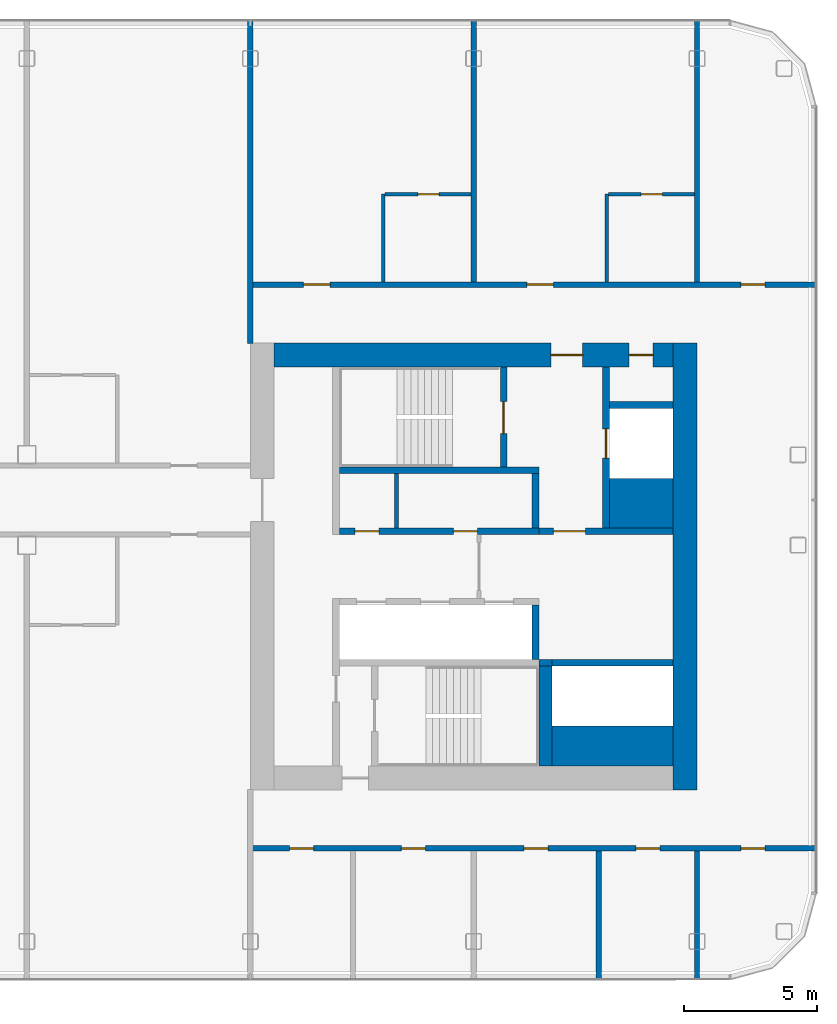
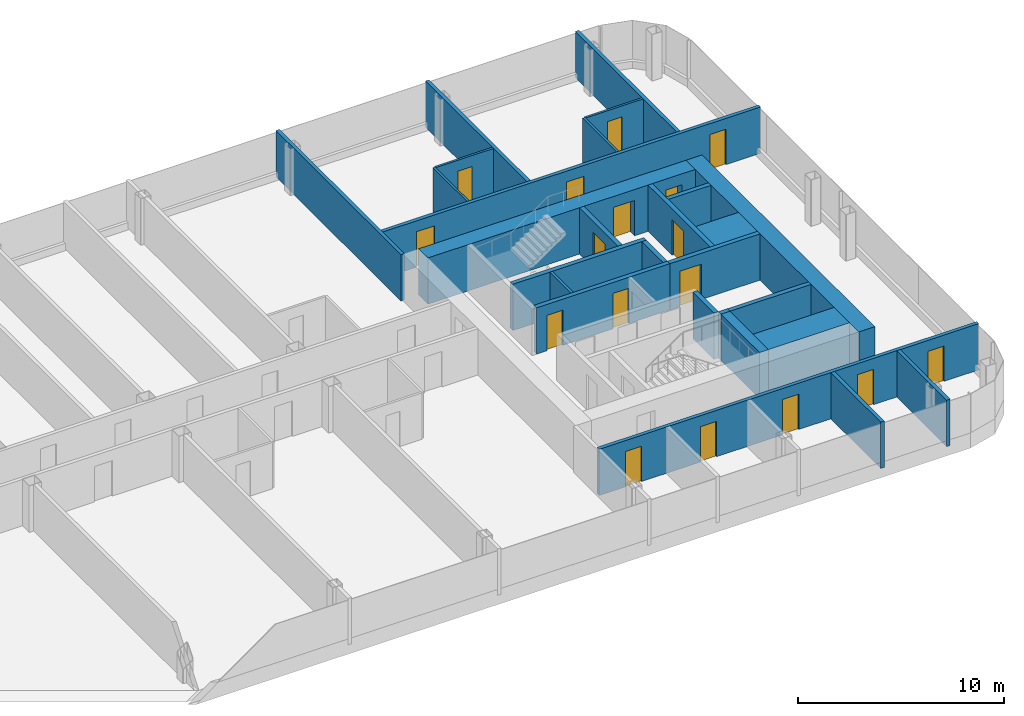
# One storey, part 16 of 25: 27 walls, 17 doors, 17 openings.
"""IFC4 building model written with IfcOpenShell, lengths in metres."""

import ifcopenshell
import ifcopenshell.guid

model = None  # the IFC model being written
_history = None  # IfcOwnerHistory: only IFC2X3 demands one
_inside = {}  # id of a spatial element -> (the spatial element, [elements in it])
_under = {}  # id of a project, library or spatial element -> (it, [spatial elements below it])
_declared = {}  # id of a project -> (the project, [libraries it declares])
_typed = {}  # id of a type object -> (the type object, [elements of that type])
_made_of = {}  # id of a material, layer set ... -> (it, [elements and type objects made of it])


def new_model(schema):
    """Start an empty IFC model of exactly this schema.

    Asked for "IFC4X3", IfcOpenShell would pick the latest addendum, in which some entities
    have other attributes; the version numbers below select the first issue.
    IFC2X3 requires an IfcOwnerHistory on every rooted entity: one is made here for all.
    """
    global model, _history
    if schema == "IFC4X3":
        model = ifcopenshell.file(schema_version=(4, 3, 0, 0))
    else:
        model = ifcopenshell.file(schema=schema)
    _inside.clear()
    _under.clear()
    _declared.clear()
    _typed.clear()
    _made_of.clear()
    _history = None
    if model.schema == "IFC2X3":
        org = make("IfcOrganization", Name="unknown")
        user = make(
            "IfcPersonAndOrganization",
            ThePerson=make("IfcPerson", FamilyName="unknown"),
            TheOrganization=org,
        )
        app = make(
            "IfcApplication",
            ApplicationDeveloper=org,
            Version="unknown",
            ApplicationFullName="unknown",
            ApplicationIdentifier="unknown",
        )
        _history = make(
            "IfcOwnerHistory",
            OwningUser=user,
            OwningApplication=app,
            ChangeAction="ADDED",
            CreationDate=0,
        )
    return model


def make(cls, **values):
    """One entity of the class cls with the attributes given. An attribute that is None is left unset."""
    return model.create_entity(
        cls, **{name: value for name, value in values.items() if value is not None}
    )


def rooted(cls, **values):
    """An entity with a GlobalId (a new one), such as an element, a storey or a relation."""
    return make(cls, GlobalId=ifcopenshell.guid.new(), OwnerHistory=_history, **values)


def si_unit(unit_type, name, prefix=None):
    """IfcSIUnit, for example si_unit("LENGTHUNIT", "METRE", prefix="MILLI")."""
    return make("IfcSIUnit", UnitType=unit_type, Prefix=prefix, Name=name)


def assignment(units):
    """IfcUnitAssignment: the units of a project."""
    return None if units is None else make("IfcUnitAssignment", Units=units)


def point(xyz):
    """IfcCartesianPoint."""
    return None if xyz is None else make("IfcCartesianPoint", Coordinates=xyz)


def direction(xyz):
    """IfcDirection."""
    return None if xyz is None else make("IfcDirection", DirectionRatios=xyz)


def frame(location, z_axis=None, x_axis=None):
    """IfcAxis2Placement3D, a coordinate frame: its origin and axes. An axis left out is left unset."""
    return make(
        "IfcAxis2Placement3D",
        Location=point(location),
        Axis=direction(z_axis),
        RefDirection=direction(x_axis),
    )


def frame_2d(location, x_axis=None):
    """IfcAxis2Placement2D, a coordinate frame in the plane: its origin and x axis."""
    return make(
        "IfcAxis2Placement2D", Location=point(location), RefDirection=direction(x_axis)
    )


def origin():
    """The frame at (0, 0, 0) with its axes left unset."""
    return frame((0.0, 0.0, 0.0))


def place(relative_to, where):
    """IfcLocalPlacement: puts the frame where relative to a parent placement (None: the world)."""
    return make(
        "IfcLocalPlacement", PlacementRelTo=relative_to, RelativePlacement=where
    )


def context(
    kind, dimensions, precision=None, world=None, true_north=None, identifier=None
):
    """IfcGeometricRepresentationContext, for example the 3D "Model" context."""
    return make(
        "IfcGeometricRepresentationContext",
        ContextIdentifier=identifier,
        ContextType=kind,
        CoordinateSpaceDimension=dimensions,
        Precision=precision,
        WorldCoordinateSystem=world,
        TrueNorth=true_north,
    )


def subcontext(parent, identifier, kind, view, scale=None):
    """IfcGeometricRepresentationSubContext, for example "Body" below "Model"."""
    return make(
        "IfcGeometricRepresentationSubContext",
        ContextIdentifier=identifier,
        ContextType=kind,
        ParentContext=parent,
        TargetScale=scale,
        TargetView=view,
    )


def project(units=None, contexts=None):
    """IfcProject with its units and contexts."""
    return rooted(
        "IfcProject",
        Name="project",
        RepresentationContexts=contexts,
        UnitsInContext=assignment(units),
    )


def spatial(cls, under=None, at=None, **own):
    """A site, building, storey or space (cls), placed at a placement, below another one or the project."""
    s = rooted(cls, ObjectPlacement=at, **own)
    if under is not None:
        _under.setdefault(under.id(), (under, []))[1].append(s)
    return s


def profile(cls, at=None, kind="AREA", **sizes):
    """A parametric profile (cls). Its sizes go by their IFC names, for example OverallWidth=200.0."""
    return make(cls, ProfileType=kind, Position=at, **sizes)


def rectangle(**sizes):
    """IfcRectangleProfileDef."""
    return profile("IfcRectangleProfileDef", **sizes)


def extrude(swept, where, along, depth):
    """IfcExtrudedAreaSolid: the profile swept, set in the frame where, extruded along a direction by depth."""
    return make(
        "IfcExtrudedAreaSolid",
        SweptArea=swept,
        Position=where,
        ExtrudedDirection=direction(along),
        Depth=depth,
    )


def shape(context_of_items, identifier, shape_type, items):
    """IfcShapeRepresentation: the items that make up one representation, for example the "Body"."""
    return make(
        "IfcShapeRepresentation",
        ContextOfItems=context_of_items,
        RepresentationIdentifier=identifier,
        RepresentationType=shape_type,
        Items=items,
    )


def material(Name=None, Category=None):
    """IfcMaterial."""
    return make("IfcMaterial", Name=Name, Category=Category)


def layer(
    of_material, thickness, ventilated=None, Name=None, Category=None, Priority=None
):
    """IfcMaterialLayer: one layer of a wall or slab, of a material (None: an air gap)."""
    return make(
        "IfcMaterialLayer",
        Material=of_material,
        LayerThickness=thickness,
        IsVentilated=ventilated,
        Name=Name,
        Category=Category,
        Priority=Priority,
    )


def layer_set(layers, Name=None):
    """IfcMaterialLayerSet."""
    return make("IfcMaterialLayerSet", MaterialLayers=layers, LayerSetName=Name)


def made_of(thing, what):
    """Note that an element or type object is made of a material, layer set ...; save() writes the relation."""
    if what is not None:
        _made_of.setdefault(what.id(), (what, []))[1].append(thing)
    return thing


def type_object(cls, material=None, **own):
    """A type object (cls), such as IfcWallType, which elements share."""
    return made_of(rooted(cls, **own), material)


def element(
    cls,
    number,
    at=None,
    inside=None,
    cuts=None,
    type_object=None,
    material=None,
    context=None,
    identifier="Body",
    shape_type=None,
    held_by="IfcProductDefinitionShape",
    body=None,
    shapes=None,
    **own,
):
    """One element of the class cls, such as IfcWall. Its Tag is "e" and its number.

    at: its placement. inside: the storey or other place that contains it. cuts: it is an
    opening in that element (IfcRelVoidsElement). A single representation is given by context,
    identifier, shape_type and body (its items); several are given by shapes. held_by: the class
    of the entity that holds the representations. save() writes the other relations.
    """
    e = rooted(cls, Tag="e%d" % number, ObjectPlacement=at, **own)
    if body is not None:
        shapes = [shape(context, identifier, shape_type, body)]
    if shapes is not None:
        e.Representation = make(held_by, Representations=shapes)
    if inside is not None:
        _inside.setdefault(inside.id(), (inside, []))[1].append(e)
    if cuts is not None:
        rooted(
            "IfcRelVoidsElement", RelatingBuildingElement=cuts, RelatedOpeningElement=e
        )
    if type_object is not None:
        _typed.setdefault(type_object.id(), (type_object, []))[1].append(e)
    return made_of(e, material)


def fill(opening, filler):
    """IfcRelFillsElement: the door or window that sits in an opening."""
    return rooted(
        "IfcRelFillsElement",
        RelatingOpeningElement=opening,
        RelatedBuildingElement=filler,
    )


def aggregate(whole, parts):
    """IfcRelAggregates: a whole, such as a stair, and the parts it consists of."""
    return rooted("IfcRelAggregates", RelatingObject=whole, RelatedObjects=parts)


def save(model, path):
    """Write the relations noted so far, then the file.

    IfcRelAggregates (storeys below a building ...), IfcRelContainedInSpatialStructure (elements
    in a storey), IfcRelDefinesByType, IfcRelAssociatesMaterial and IfcRelDeclares: one each for
    every whole, place, type object, material and project.
    """
    for whole, parts in _under.values():
        aggregate(whole, parts)
    for where, things in _inside.values():
        rooted(
            "IfcRelContainedInSpatialStructure",
            RelatedElements=things,
            RelatingStructure=where,
        )
    for kind, things in _typed.values():
        rooted("IfcRelDefinesByType", RelatedObjects=things, RelatingType=kind)
    for what, things in _made_of.values():
        rooted("IfcRelAssociatesMaterial", RelatedObjects=things, RelatingMaterial=what)
    for by, libraries in _declared.values():
        rooted("IfcRelDeclares", RelatingContext=by, RelatedDefinitions=libraries)
    model.write(path)


model = new_model("IFC4")

# Units and contexts
model_context = context("Model", 3, precision=1e-05, world=origin(), true_north=direction((0.0, 1.0)))
body_context = subcontext(model_context, "Body", "Model", "MODEL_VIEW")
ifc_project = project(units=[si_unit("LENGTHUNIT", "METRE"), si_unit("AREAUNIT", "SQUARE_METRE"), si_unit("VOLUMEUNIT", "CUBIC_METRE"), si_unit("PLANEANGLEUNIT", "RADIAN"), si_unit("MASSUNIT", "GRAM", prefix="KILO")], contexts=[model_context])

# Site, building, storey
site_placement = place(None, origin())
site = spatial("IfcSite", under=ifc_project, at=site_placement, CompositionType="ELEMENT")
building_placement = place(site_placement, origin())
building = spatial("IfcBuilding", under=site, at=building_placement, Name="Hakoniwa Tower and Hamabe Station Hall", CompositionType="ELEMENT")
storey_placement = place(building_placement, frame((0.0, 0.0, 186.60009765625)))
storey = spatial("IfcBuildingStorey", under=building, at=storey_placement, Name="L52", CompositionType="ELEMENT", Elevation=186.60009765625)

# Wall, opening, door
ifc_material_1 = material(Name="Gypsum board partition", Category="gypsum")
ifc_layer_1 = layer(ifc_material_1, 0.125)
ifc_layer_set_1 = layer_set([ifc_layer_1], Name="Bathroom Partition 125")
wall_type_1 = type_object("IfcWallType", Name="Bathroom Partition 125", PredefinedType="PARTITIONING", material=ifc_layer_set_1)
wall_1_placement = place(storey_placement, frame((21.862548828125, 14.0, 0.0), z_axis=(0.0, 0.0, 1.0), x_axis=(1.0, 0.0, 0.0)))
wall_1 = element("IfcWall", 1, at=wall_1_placement, inside=storey, type_object=wall_type_1, Name="GW-L52-015", PredefinedType="PARTITIONING", context=body_context, shape_type="SweptSolid", body=[
    extrude(rectangle(XDim=3.237548828125, YDim=0.125, at=frame_2d((1.61865234375, 0.0))), origin(), (0.0, 0.0, 1.0), 2.75),
])
opening_1_placement = place(wall_1_placement, frame((1.237548828125, 0.0, 0.0)))
opening_1 = element("IfcOpeningElement", 2, at=opening_1_placement, cuts=wall_1, Name="Opening GD-G4A0-33", PredefinedType="OPENING", context=body_context, shape_type="SweptSolid", body=[
    extrude(rectangle(XDim=0.800048828125, YDim=2.10009765625, at=frame_2d((0.39990234375, 1.050048828125))), frame((0.0, 0.072509765625, 0.0), z_axis=(0.0, -1.0, 0.0), x_axis=(1.0, 0.0, 0.0)), (0.0, 0.0, 1.0), 0.14501953125),
])
ifc_material_2 = material(Name="Timber door leaf", Category="wood")
door_type_1 = type_object("IfcDoorType", Name="Bathroom Door 800", OperationType="SINGLE_SWING_LEFT", PredefinedType="DOOR", material=ifc_material_2)
door_1_placement = place(opening_1_placement, origin())
door_1 = element("IfcDoor", 3, at=door_1_placement, inside=storey, type_object=door_type_1, Name="Door GD-G4A0-33", OperationType="SINGLE_SWING_LEFT", OverallHeight=2.10009765625, OverallWidth=0.800048828125, PredefinedType="DOOR", context=body_context, shape_type="SweptSolid", body=[
    extrude(rectangle(XDim=0.800048828125, YDim=2.10009765625, at=frame_2d((0.39990234375, 1.050048828125))), frame((0.0, 0.02490234375, 0.0), z_axis=(0.0, -1.0, 0.0), x_axis=(1.0, 0.0, 0.0)), (0.0, 0.0, 1.0), 0.050048828125),
])
fill(opening_1, door_1)

wall_2_placement = place(storey_placement, frame((30.262451171875, 14.0, 0.0), z_axis=(0.0, 0.0, 1.0), x_axis=(1.0, 0.0, 0.0)))
wall_2 = element("IfcWall", 4, at=wall_2_placement, inside=storey, type_object=wall_type_1, Name="GW-L52-016", PredefinedType="PARTITIONING", context=body_context, shape_type="SweptSolid", body=[
    extrude(rectangle(XDim=3.237548828125, YDim=0.125, at=frame_2d((1.61865234375, 0.0))), origin(), (0.0, 0.0, 1.0), 2.75),
])
opening_2_placement = place(wall_2_placement, frame((1.237548828125, 0.0, 0.0)))
opening_2 = element("IfcOpeningElement", 5, at=opening_2_placement, cuts=wall_2, Name="Opening GD-G4A0-34", PredefinedType="OPENING", context=body_context, shape_type="SweptSolid", body=[
    extrude(rectangle(XDim=0.800048828125, YDim=2.10009765625, at=frame_2d((0.39990234375, 1.050048828125))), frame((0.0, 0.072509765625, 0.0), z_axis=(0.0, -1.0, 0.0), x_axis=(1.0, 0.0, 0.0)), (0.0, 0.0, 1.0), 0.14501953125),
])
door_2_placement = place(opening_2_placement, origin())
door_2 = element("IfcDoor", 6, at=door_2_placement, inside=storey, type_object=door_type_1, Name="Door GD-G4A0-34", OperationType="SINGLE_SWING_RIGHT", OverallHeight=2.10009765625, OverallWidth=0.800048828125, PredefinedType="DOOR", context=body_context, shape_type="SweptSolid", body=[
    extrude(rectangle(XDim=0.800048828125, YDim=2.10009765625, at=frame_2d((0.39990234375, 1.050048828125))), frame((0.0, 0.02490234375, 0.0), z_axis=(0.0, -1.0, 0.0), x_axis=(1.0, 0.0, 0.0)), (0.0, 0.0, 1.0), 0.050048828125),
])
fill(opening_2, door_2)

# Walls
for number, where, z_axis, x_axis, name in (
    (7, (21.800048828125, 10.699951171875, 0.0), (0.0, 0.0, 1.0), (0.0, 1.0, 0.0), "GW-L52-044"),
    (8, (30.199951171875, 10.699951171875, 0.0), (0.0, 0.0, 1.0), (0.0, 1.0, 0.0), "GW-L52-048"),
):
    element("IfcWall", number, at=place(storey_placement, frame(where, z_axis=z_axis, x_axis=x_axis)), inside=storey, type_object=wall_type_1, Name=name, PredefinedType="PARTITIONING", context=body_context, shape_type="SweptSolid", body=[
        extrude(rectangle(XDim=3.300048828125, YDim=0.125, at=frame_2d((1.64990234375, 0.0))), origin(), (0.0, 0.0, 1.0), 2.75),
    ])
ifc_material_3 = material(Name="Gypsum board partition")
ifc_layer_2 = layer(ifc_material_3, 0.14990234375)
ifc_layer_set_2 = layer_set([ifc_layer_2], Name="CORE PARTITION 150 EI 60")
wall_type_2 = type_object("IfcWallType", Name="CORE PARTITION 150 EI 60", PredefinedType="PARTITIONING", material=ifc_layer_set_2)
wall_3_placement = place(storey_placement, frame((22.300048828125, 1.449951171875, 0.0), z_axis=(0.0, 0.0, 1.0), x_axis=(0.0, 1.0, 0.0)))
element("IfcWall", 9, at=wall_3_placement, inside=storey, type_object=wall_type_2, Name="Core partition PFLR0 east", PredefinedType="PARTITIONING", context=body_context, shape_type="SweptSolid", body=[
    extrude(rectangle(XDim=2.050048828125, YDim=0.14990234375, at=frame_2d((1.02490234375, 0.0))), origin(), (0.0, 0.0, 1.0), 2.75),
])
ifc_material_4 = material(Name="Concrete C60", Category="concrete")
ifc_layer_3 = layer(ifc_material_4, 0.89990234375)
ifc_layer_set_3 = layer_set([ifc_layer_3], Name="CORE WALL 900 C60")
wall_type_3 = type_object("IfcWallType", Name="CORE WALL 900 C60", PredefinedType="SHEAR", material=ifc_layer_set_3)
wall_4_placement = place(storey_placement, frame((33.14990234375, -8.39990234375, 0.0), z_axis=(0.0, 0.0, 1.0), x_axis=(0.0, 1.0, 0.0)))
element("IfcWall", 10, at=wall_4_placement, inside=storey, type_object=wall_type_3, Name="Core wall OUTER east", PredefinedType="SHEAR", context=body_context, shape_type="SweptSolid", body=[
    extrude(rectangle(XDim=16.7998046875, YDim=0.89990234375, at=frame_2d((8.39990234375, 0.0))), origin(), (0.0, 0.0, 1.0), 2.75),
])

# Wall, openings, doors
wall_5_placement = place(storey_placement, frame((17.699951171875, 7.949951171875, 0.0), z_axis=(0.0, 0.0, 1.0), x_axis=(1.0, 0.0, 0.0)))
wall_5 = element("IfcWall", 11, at=wall_5_placement, inside=storey, type_object=wall_type_3, Name="Core wall NORTH east", PredefinedType="SHEAR", context=body_context, shape_type="SweptSolid", body=[
    extrude(rectangle(XDim=15.0, YDim=0.89990234375, at=frame_2d((7.5, 0.0))), origin(), (0.0, 0.0, 1.0), 2.75),
])
opening_3_placement = place(wall_5_placement, frame((10.39990234375, 0.0, 0.0)))
opening_3 = element("IfcOpeningElement", 12, at=opening_3_placement, cuts=wall_5, Name="Opening CD-E-FN1-12", PredefinedType="OPENING", context=body_context, shape_type="SweptSolid", body=[
    extrude(rectangle(XDim=1.199951171875, YDim=2.10009765625, at=frame_2d((0.60009765625, 1.050048828125))), frame((0.0, 0.4599609375, 0.0), z_axis=(0.0, -1.0, 0.0), x_axis=(1.0, 0.0, 0.0)), (0.0, 0.0, 1.0), 0.919921875),
])
opening_4_placement = place(wall_5_placement, frame((13.35009765625, 0.0, 0.0)))
opening_4 = element("IfcOpeningElement", 13, at=opening_4_placement, cuts=wall_5, Name="Opening CD-E-FN2-9", PredefinedType="OPENING", context=body_context, shape_type="SweptSolid", body=[
    extrude(rectangle(XDim=0.89990234375, YDim=2.10009765625, at=frame_2d((0.449951171875, 1.050048828125))), frame((0.0, 0.4599609375, 0.0), z_axis=(0.0, -1.0, 0.0), x_axis=(1.0, 0.0, 0.0)), (0.0, 0.0, 1.0), 0.919921875),
])
ifc_material_5 = material(Name="Steel fire door", Category="steel")
door_type_2 = type_object("IfcDoorType", Name="CORE DOOR 1200 FD60", OperationType="DOUBLE_DOOR_SINGLE_SWING", PredefinedType="DOOR", material=ifc_material_5)
door_3_placement = place(opening_3_placement, origin())
door_3 = element("IfcDoor", 14, at=door_3_placement, inside=storey, type_object=door_type_2, Name="Stair vestibule door to the fire-fighting lobby", OperationType="DOUBLE_DOOR_SINGLE_SWING", OverallHeight=2.10009765625, OverallWidth=1.199951171875, PredefinedType="DOOR", context=body_context, shape_type="SweptSolid", body=[
    extrude(rectangle(XDim=1.199951171875, YDim=2.10009765625, at=frame_2d((0.60009765625, 1.050048828125))), frame((0.0, 0.02490234375, 0.0), z_axis=(0.0, -1.0, 0.0), x_axis=(1.0, 0.0, 0.0)), (0.0, 0.0, 1.0), 0.050048828125),
])
fill(opening_3, door_3)
ifc_material_6 = material(Name="Steel fire door", Category="steel")
door_type_3 = type_object("IfcDoorType", Name="CORE DOOR 900 FD30", OperationType="NOTDEFINED", PredefinedType="DOOR", material=ifc_material_6)
door_4_placement = place(opening_4_placement, origin())
door_4 = element("IfcDoor", 15, at=door_4_placement, inside=storey, type_object=door_type_3, Name="Riser access door", OperationType="SINGLE_SWING_RIGHT", OverallHeight=2.10009765625, OverallWidth=0.89990234375, PredefinedType="DOOR", context=body_context, shape_type="SweptSolid", body=[
    extrude(rectangle(XDim=0.89990234375, YDim=2.10009765625, at=frame_2d((0.449951171875, 1.050048828125))), frame((0.0, 0.02490234375, 0.0), z_axis=(0.0, -1.0, 0.0), x_axis=(1.0, 0.0, 0.0)), (0.0, 0.0, 1.0), 0.050048828125),
])
fill(opening_4, door_4)

# Walls
ifc_material_7 = material(Name="Concrete C60", Category="concrete")
ifc_layer_4 = layer(ifc_material_7, 1.5)
ifc_layer_set_4 = layer_set([ifc_layer_4], Name="CORE WEB WALL 1500 C60")
wall_type_4 = type_object("IfcWallType", Name="CORE WEB WALL 1500 C60", PredefinedType="SHEAR", material=ifc_layer_set_4)
wall_6_placement = place(storey_placement, frame((28.14990234375, -6.75, 0.0), z_axis=(0.0, 0.0, 1.0), x_axis=(1.0, 0.0, 0.0)))
element("IfcWall", 16, at=wall_6_placement, inside=storey, type_object=wall_type_4, Name="Core wall SER east", PredefinedType="SHEAR", context=body_context, shape_type="SweptSolid", body=[
    extrude(rectangle(XDim=4.550048828125, YDim=1.5, at=frame_2d((2.27490234375, 0.0))), origin(), (0.0, 0.0, 1.0), 2.75),
])
ifc_material_8 = material(Name="Concrete C60", Category="concrete")
ifc_layer_5 = layer(ifc_material_8, 1.85009765625)
ifc_layer_set_5 = layer_set([ifc_layer_5], Name="CORE WEB WALL 1850 C60")
wall_type_5 = type_object("IfcWallType", Name="CORE WEB WALL 1850 C60", PredefinedType="SHEAR", material=ifc_layer_set_5)
wall_7_placement = place(storey_placement, frame((30.300048828125, 2.375, 0.0), z_axis=(0.0, 0.0, 1.0), x_axis=(1.0, 0.0, 0.0)))
element("IfcWall", 17, at=wall_7_placement, inside=storey, type_object=wall_type_5, Name="Core wall CA east", PredefinedType="SHEAR", context=body_context, shape_type="SweptSolid", body=[
    extrude(rectangle(XDim=2.39990234375, YDim=1.85009765625, at=frame_2d((1.199951171875, 0.0))), origin(), (0.0, 0.0, 1.0), 2.75),
])

# Wall, openings, doors
ifc_material_9 = material(Name="Concrete C60", Category="concrete")
ifc_layer_6 = layer(ifc_material_9, 0.25)
ifc_layer_set_6 = layer_set([ifc_layer_6], Name="CORE WEB WALL 250 C60")
wall_type_6 = type_object("IfcWallType", Name="CORE WEB WALL 250 C60", PredefinedType="SHEAR", material=ifc_layer_set_6)
wall_8_placement = place(storey_placement, frame((20.14990234375, 1.324951171875, 0.0), z_axis=(0.0, 0.0, 1.0), x_axis=(1.0, 0.0, 0.0)))
wall_8 = element("IfcWall", 18, at=wall_8_placement, inside=storey, type_object=wall_type_6, Name="Core wall NF east", PredefinedType="SHEAR", context=body_context, shape_type="SweptSolid", body=[
    extrude(rectangle(XDim=7.5, YDim=0.25, at=frame_2d((3.75, 0.0))), origin(), (0.0, 0.0, 1.0), 2.75),
])
opening_5_placement = place(wall_8_placement, frame((0.58740234375, 0.0, 0.0)))
opening_5 = element("IfcOpeningElement", 19, at=opening_5_placement, cuts=wall_8, Name="Opening CD-E-FRLR0-9", PredefinedType="OPENING", context=body_context, shape_type="SweptSolid", body=[
    extrude(rectangle(XDim=0.89990234375, YDim=2.10009765625, at=frame_2d((0.449951171875, 1.050048828125))), frame((0.0, 0.135009765625, 0.0), z_axis=(0.0, -1.0, 0.0), x_axis=(1.0, 0.0, 0.0)), (0.0, 0.0, 1.0), 0.27001953125),
])
opening_6_placement = place(wall_8_placement, frame((4.28759765625, 0.0, 0.0)))
opening_6 = element("IfcOpeningElement", 20, at=opening_6_placement, cuts=wall_8, Name="Opening CD-E-FRLR1-9", PredefinedType="OPENING", context=body_context, shape_type="SweptSolid", body=[
    extrude(rectangle(XDim=0.89990234375, YDim=2.10009765625, at=frame_2d((0.449951171875, 1.050048828125))), frame((0.0, 0.135009765625, 0.0), z_axis=(0.0, -1.0, 0.0), x_axis=(1.0, 0.0, 0.0)), (0.0, 0.0, 1.0), 0.27001953125),
])
door_5_placement = place(opening_5_placement, origin())
door_5 = element("IfcDoor", 21, at=door_5_placement, inside=storey, type_object=door_type_3, Name="Store room door", OperationType="SINGLE_SWING_LEFT", OverallHeight=2.10009765625, OverallWidth=0.89990234375, PredefinedType="DOOR", context=body_context, shape_type="SweptSolid", body=[
    extrude(rectangle(XDim=0.89990234375, YDim=2.10009765625, at=frame_2d((0.449951171875, 1.050048828125))), frame((0.0, 0.02490234375, 0.0), z_axis=(0.0, -1.0, 0.0), x_axis=(1.0, 0.0, 0.0)), (0.0, 0.0, 1.0), 0.050048828125),
])
fill(opening_5, door_5)
door_6_placement = place(opening_6_placement, origin())
door_6 = element("IfcDoor", 22, at=door_6_placement, inside=storey, type_object=door_type_3, Name="Store room door", OperationType="SINGLE_SWING_LEFT", OverallHeight=2.10009765625, OverallWidth=0.89990234375, PredefinedType="DOOR", context=body_context, shape_type="SweptSolid", body=[
    extrude(rectangle(XDim=0.89990234375, YDim=2.10009765625, at=frame_2d((0.449951171875, 1.050048828125))), frame((0.0, 0.02490234375, 0.0), z_axis=(0.0, -1.0, 0.0), x_axis=(1.0, 0.0, 0.0)), (0.0, 0.0, 1.0), 0.050048828125),
])
fill(opening_6, door_6)

# Walls
wall_9_placement = place(storey_placement, frame((27.52490234375, 1.449951171875, 0.0), z_axis=(0.0, 0.0, 1.0), x_axis=(0.0, 1.0, 0.0)))
element("IfcWall", 23, at=wall_9_placement, inside=storey, type_object=wall_type_6, Name="Core wall NE east", PredefinedType="SHEAR", context=body_context, shape_type="SweptSolid", body=[
    extrude(rectangle(XDim=2.050048828125, YDim=0.25, at=frame_2d((1.02490234375, 0.0))), origin(), (0.0, 0.0, 1.0), 2.75),
])
wall_10_placement = place(storey_placement, frame((20.14990234375, 3.625, 0.0), z_axis=(0.0, 0.0, 1.0), x_axis=(1.0, 0.0, 0.0)))
element("IfcWall", 24, at=wall_10_placement, inside=storey, type_object=wall_type_6, Name="Core wall NR east", PredefinedType="SHEAR", context=body_context, shape_type="SweptSolid", body=[
    extrude(rectangle(XDim=7.5, YDim=0.25, at=frame_2d((3.75, 0.0))), origin(), (0.0, 0.0, 1.0), 2.75),
])

# Wall, opening, door
wall_11_placement = place(storey_placement, frame((26.324951171875, 3.75, 0.0), z_axis=(0.0, 0.0, 1.0), x_axis=(0.0, 1.0, 0.0)))
wall_11 = element("IfcWall", 25, at=wall_11_placement, inside=storey, type_object=wall_type_6, Name="Core wall NSE east", PredefinedType="SHEAR", context=body_context, shape_type="SweptSolid", body=[
    extrude(rectangle(XDim=3.75, YDim=0.25, at=frame_2d((1.875, 0.0))), origin(), (0.0, 0.0, 1.0), 2.75),
])
opening_7_placement = place(wall_11_placement, frame((1.25, 0.0, 0.0)))
opening_7 = element("IfcOpeningElement", 26, at=opening_7_placement, cuts=wall_11, Name="Opening CD-E-SN-12", PredefinedType="OPENING", context=body_context, shape_type="SweptSolid", body=[
    extrude(rectangle(XDim=1.199951171875, YDim=2.10009765625, at=frame_2d((0.60009765625, 1.050048828125))), frame((0.0, 0.135009765625, 0.0), z_axis=(0.0, -1.0, 0.0), x_axis=(1.0, 0.0, 0.0)), (0.0, 0.0, 1.0), 0.27001953125),
])
door_7_placement = place(opening_7_placement, origin())
door_7 = element("IfcDoor", 27, at=door_7_placement, inside=storey, type_object=door_type_2, Name="Escape stair door", OperationType="DOUBLE_DOOR_SINGLE_SWING", OverallHeight=2.10009765625, OverallWidth=1.199951171875, PredefinedType="DOOR", context=body_context, shape_type="SweptSolid", body=[
    extrude(rectangle(XDim=1.199951171875, YDim=2.10009765625, at=frame_2d((0.60009765625, 1.050048828125))), frame((0.0, 0.02490234375, 0.0), z_axis=(0.0, -1.0, 0.0), x_axis=(1.0, 0.0, 0.0)), (0.0, 0.0, 1.0), 0.050048828125),
])
fill(opening_7, door_7)

wall_12_placement = place(storey_placement, frame((27.64990234375, 1.324951171875, 0.0), z_axis=(0.0, 0.0, 1.0), x_axis=(1.0, 0.0, 0.0)))
wall_12 = element("IfcWall", 28, at=wall_12_placement, inside=storey, type_object=wall_type_6, Name="Core wall ELN east", PredefinedType="SHEAR", context=body_context, shape_type="SweptSolid", body=[
    extrude(rectangle(XDim=5.050048828125, YDim=0.25, at=frame_2d((2.52490234375, 0.0))), origin(), (0.0, 0.0, 1.0), 2.75),
])
opening_8_placement = place(wall_12_placement, frame((0.550048828125, 0.0, 0.0)))
opening_8 = element("IfcOpeningElement", 29, at=opening_8_placement, cuts=wall_12, Name="Opening CD-E-FL-12", PredefinedType="OPENING", context=body_context, shape_type="SweptSolid", body=[
    extrude(rectangle(XDim=1.199951171875, YDim=2.10009765625, at=frame_2d((0.60009765625, 1.050048828125))), frame((0.0, 0.135009765625, 0.0), z_axis=(0.0, -1.0, 0.0), x_axis=(1.0, 0.0, 0.0)), (0.0, 0.0, 1.0), 0.27001953125),
])
door_8_placement = place(opening_8_placement, origin())
door_8 = element("IfcDoor", 30, at=door_8_placement, inside=storey, type_object=door_type_2, Name="Stair vestibule door to the fire-fighting lobby", OperationType="DOUBLE_DOOR_SINGLE_SWING", OverallHeight=2.10009765625, OverallWidth=1.199951171875, PredefinedType="DOOR", context=body_context, shape_type="SweptSolid", body=[
    extrude(rectangle(XDim=1.199951171875, YDim=2.10009765625, at=frame_2d((0.60009765625, 1.050048828125))), frame((0.0, 0.02490234375, 0.0), z_axis=(0.0, -1.0, 0.0), x_axis=(1.0, 0.0, 0.0)), (0.0, 0.0, 1.0), 0.050048828125),
])
fill(opening_8, door_8)

wall_13_placement = place(storey_placement, frame((30.175048828125, 1.449951171875, 0.0), z_axis=(0.0, 0.0, 1.0), x_axis=(0.0, 1.0, 0.0)))
wall_13 = element("IfcWall", 31, at=wall_13_placement, inside=storey, type_object=wall_type_6, Name="Core wall FFF east", PredefinedType="SHEAR", context=body_context, shape_type="SweptSolid", body=[
    extrude(rectangle(XDim=6.050048828125, YDim=0.25, at=frame_2d((3.02490234375, 0.0))), origin(), (0.0, 0.0, 1.0), 2.75),
])
opening_9_placement = place(wall_13_placement, frame((2.625, 0.0, 0.0)))
opening_9 = element("IfcOpeningElement", 32, at=opening_9_placement, cuts=wall_13, Name="Opening LD-FF2", PredefinedType="OPENING", context=body_context, shape_type="SweptSolid", body=[
    extrude(rectangle(XDim=1.10009765625, YDim=2.10009765625, at=frame_2d((0.550048828125, 1.050048828125))), frame((0.0, 0.135009765625, 0.0), z_axis=(0.0, -1.0, 0.0), x_axis=(1.0, 0.0, 0.0)), (0.0, 0.0, 1.0), 0.27001953125),
])
ifc_material_10 = material(Name="Stainless steel SUS304", Category="steel")
door_type_4 = type_object("IfcDoorType", Name="LIFT LANDING DOOR 1100 FD60", OperationType="DOUBLE_DOOR_SLIDING", PredefinedType="DOOR", material=ifc_material_10)
door_9_placement = place(opening_9_placement, origin())
door_9 = element("IfcDoor", 33, at=door_9_placement, inside=storey, type_object=door_type_4, Name="Lift landing door FF2 L52", OperationType="DOUBLE_DOOR_SLIDING", OverallHeight=2.10009765625, OverallWidth=1.10009765625, PredefinedType="DOOR", context=body_context, shape_type="SweptSolid", body=[
    extrude(rectangle(XDim=1.10009765625, YDim=2.10009765625, at=frame_2d((0.550048828125, 1.050048828125))), frame((0.0, 0.02490234375, 0.0), z_axis=(0.0, -1.0, 0.0), x_axis=(1.0, 0.0, 0.0)), (0.0, 0.0, 1.0), 0.050048828125),
])
fill(opening_9, door_9)

# Walls
wall_14_placement = place(storey_placement, frame((30.300048828125, 6.074951171875, 0.0), z_axis=(0.0, 0.0, 1.0), x_axis=(1.0, 0.0, 0.0)))
element("IfcWall", 34, at=wall_14_placement, inside=storey, type_object=wall_type_6, Name="Core wall C2 east", PredefinedType="SHEAR", context=body_context, shape_type="SweptSolid", body=[
    extrude(rectangle(XDim=2.39990234375, YDim=0.25, at=frame_2d((1.199951171875, 0.0))), origin(), (0.0, 0.0, 1.0), 2.75),
])
wall_15_placement = place(storey_placement, frame((27.52490234375, -3.5, 0.0), z_axis=(0.0, 0.0, 1.0), x_axis=(0.0, 1.0, 0.0)))
element("IfcWall", 35, at=wall_15_placement, inside=storey, type_object=wall_type_6, Name="Core wall SE east", PredefinedType="SHEAR", context=body_context, shape_type="SweptSolid", body=[
    extrude(rectangle(XDim=2.050048828125, YDim=0.25, at=frame_2d((1.02490234375, 0.0))), origin(), (0.0, 0.0, 1.0), 2.75),
])
wall_16_placement = place(storey_placement, frame((28.14990234375, -3.625, 0.0), z_axis=(0.0, 0.0, 1.0), x_axis=(1.0, 0.0, 0.0)))
element("IfcWall", 36, at=wall_16_placement, inside=storey, type_object=wall_type_6, Name="Core wall SEF east", PredefinedType="SHEAR", context=body_context, shape_type="SweptSolid", body=[
    extrude(rectangle(XDim=4.550048828125, YDim=0.25, at=frame_2d((2.27490234375, 0.0))), origin(), (0.0, 0.0, 1.0), 2.75),
])
wall_17_placement = place(storey_placement, frame((27.64990234375, -3.625, 0.0), z_axis=(0.0, 0.0, 1.0), x_axis=(1.0, 0.0, 0.0)))
element("IfcWall", 37, at=wall_17_placement, inside=storey, type_object=wall_type_6, Name="Core wall SRK east", PredefinedType="SHEAR", context=body_context, shape_type="SweptSolid", body=[
    extrude(rectangle(XDim=0.5, YDim=0.25, at=frame_2d((0.25, 0.0))), origin(), (0.0, 0.0, 1.0), 2.75),
])
ifc_material_11 = material(Name="Concrete C60", Category="concrete")
ifc_layer_7 = layer(ifc_material_11, 0.5)
ifc_layer_set_7 = layer_set([ifc_layer_7], Name="CORE WEB WALL 500 C60")
wall_type_7 = type_object("IfcWallType", Name="CORE WEB WALL 500 C60", PredefinedType="SHEAR", material=ifc_layer_set_7)
wall_18_placement = place(storey_placement, frame((27.89990234375, -7.5, 0.0), z_axis=(0.0, 0.0, 1.0), x_axis=(0.0, 1.0, 0.0)))
element("IfcWall", 38, at=wall_18_placement, inside=storey, type_object=wall_type_7, Name="Core wall SSE east", PredefinedType="SHEAR", context=body_context, shape_type="SweptSolid", body=[
    extrude(rectangle(XDim=3.75, YDim=0.5, at=frame_2d((1.875, 0.0))), origin(), (0.0, 0.0, 1.0), 2.75),
])

# Wall, openings, doors
ifc_material_12 = material(Name="Fire-rated gypsum board partition", Category="gypsum")
ifc_layer_8 = layer(ifc_material_12, 0.199951171875)
ifc_layer_set_8 = layer_set([ifc_layer_8], Name="Corridor Wall 200")
wall_type_8 = type_object("IfcWallType", Name="Corridor Wall 200", PredefinedType="PARTITIONING", material=ifc_layer_set_8)
wall_19_placement = place(storey_placement, frame((16.800048828125, -10.60009765625, 0.0), z_axis=(0.0, 0.0, 1.0), x_axis=(1.0, 0.0, 0.0)))
wall_19 = element("IfcWall", 39, at=wall_19_placement, inside=storey, type_object=wall_type_8, Name="GW-L52-002", PredefinedType="PARTITIONING", context=body_context, shape_type="SweptSolid", body=[
    extrude(rectangle(XDim=21.300048828125, YDim=0.199951171875, at=frame_2d((10.64990234375, 0.0))), origin(), (0.0, 0.0, 1.0), 2.75),
])
opening_10_placement = place(wall_19_placement, frame((1.47998046875, 0.0, 0.0)))
opening_10 = element("IfcOpeningElement", 40, at=opening_10_placement, cuts=wall_19, Name="Opening GD-G4A0-06", PredefinedType="OPENING", context=body_context, shape_type="SweptSolid", body=[
    extrude(rectangle(XDim=0.89990234375, YDim=2.10009765625, at=frame_2d((0.449951171875, 1.050048828125))), frame((0.0, 0.10986328125, 0.0), z_axis=(0.0, -1.0, 0.0), x_axis=(1.0, 0.0, 0.0)), (0.0, 0.0, 1.0), 0.219970703125),
])
opening_11_placement = place(wall_19_placement, frame((5.679931640625, 0.0, 0.0)))
opening_11 = element("IfcOpeningElement", 41, at=opening_11_placement, cuts=wall_19, Name="Opening GD-G4A0-07", PredefinedType="OPENING", context=body_context, shape_type="SweptSolid", body=[
    extrude(rectangle(XDim=0.89990234375, YDim=2.10009765625, at=frame_2d((0.449951171875, 1.050048828125))), frame((0.0, 0.10986328125, 0.0), z_axis=(0.0, -1.0, 0.0), x_axis=(1.0, 0.0, 0.0)), (0.0, 0.0, 1.0), 0.219970703125),
])
opening_12_placement = place(wall_19_placement, frame((10.300048828125, 0.0, 0.0)))
opening_12 = element("IfcOpeningElement", 42, at=opening_12_placement, cuts=wall_19, Name="Opening GD-G4A0-08", PredefinedType="OPENING", context=body_context, shape_type="SweptSolid", body=[
    extrude(rectangle(XDim=0.89990234375, YDim=2.10009765625, at=frame_2d((0.449951171875, 1.050048828125))), frame((0.0, 0.10986328125, 0.0), z_axis=(0.0, -1.0, 0.0), x_axis=(1.0, 0.0, 0.0)), (0.0, 0.0, 1.0), 0.219970703125),
])
opening_13_placement = place(wall_19_placement, frame((14.5, 0.0, 0.0)))
opening_13 = element("IfcOpeningElement", 43, at=opening_13_placement, cuts=wall_19, Name="Opening GD-G4A0-09", PredefinedType="OPENING", context=body_context, shape_type="SweptSolid", body=[
    extrude(rectangle(XDim=0.89990234375, YDim=2.10009765625, at=frame_2d((0.449951171875, 1.050048828125))), frame((0.0, 0.10986328125, 0.0), z_axis=(0.0, -1.0, 0.0), x_axis=(1.0, 0.0, 0.0)), (0.0, 0.0, 1.0), 0.219970703125),
])
opening_14_placement = place(wall_19_placement, frame((18.449951171875, 0.0, 0.0)))
opening_14 = element("IfcOpeningElement", 44, at=opening_14_placement, cuts=wall_19, Name="Opening GD-G4A0-10", PredefinedType="OPENING", context=body_context, shape_type="SweptSolid", body=[
    extrude(rectangle(XDim=0.89990234375, YDim=2.10009765625, at=frame_2d((0.449951171875, 1.050048828125))), frame((0.0, 0.10986328125, 0.0), z_axis=(0.0, -1.0, 0.0), x_axis=(1.0, 0.0, 0.0)), (0.0, 0.0, 1.0), 0.219970703125),
])
ifc_material_13 = material(Name="Timber door leaf", Category="wood")
door_type_5 = type_object("IfcDoorType", Name="Service Door 900", OperationType="SINGLE_SWING_LEFT", PredefinedType="DOOR", material=ifc_material_13)
door_10_placement = place(opening_10_placement, origin())
door_10 = element("IfcDoor", 45, at=door_10_placement, inside=storey, type_object=door_type_5, Name="Door GD-G4A0-06", OperationType="SINGLE_SWING_LEFT", OverallHeight=2.10009765625, OverallWidth=0.89990234375, PredefinedType="DOOR", context=body_context, shape_type="SweptSolid", body=[
    extrude(rectangle(XDim=0.89990234375, YDim=2.10009765625, at=frame_2d((0.449951171875, 1.050048828125))), frame((0.0, 0.02490234375, 0.0), z_axis=(0.0, -1.0, 0.0), x_axis=(1.0, 0.0, 0.0)), (0.0, 0.0, 1.0), 0.050048828125),
])
fill(opening_10, door_10)
door_11_placement = place(opening_11_placement, origin())
door_11 = element("IfcDoor", 46, at=door_11_placement, inside=storey, type_object=door_type_5, Name="Door GD-G4A0-07", OperationType="SINGLE_SWING_RIGHT", OverallHeight=2.10009765625, OverallWidth=0.89990234375, PredefinedType="DOOR", context=body_context, shape_type="SweptSolid", body=[
    extrude(rectangle(XDim=0.89990234375, YDim=2.10009765625, at=frame_2d((0.449951171875, 1.050048828125))), frame((0.0, 0.02490234375, 0.0), z_axis=(0.0, -1.0, 0.0), x_axis=(1.0, 0.0, 0.0)), (0.0, 0.0, 1.0), 0.050048828125),
])
fill(opening_11, door_11)
door_12_placement = place(opening_12_placement, origin())
door_12 = element("IfcDoor", 47, at=door_12_placement, inside=storey, type_object=door_type_5, Name="Door GD-G4A0-08", OperationType="SINGLE_SWING_LEFT", OverallHeight=2.10009765625, OverallWidth=0.89990234375, PredefinedType="DOOR", context=body_context, shape_type="SweptSolid", body=[
    extrude(rectangle(XDim=0.89990234375, YDim=2.10009765625, at=frame_2d((0.449951171875, 1.050048828125))), frame((0.0, 0.02490234375, 0.0), z_axis=(0.0, -1.0, 0.0), x_axis=(1.0, 0.0, 0.0)), (0.0, 0.0, 1.0), 0.050048828125),
])
fill(opening_12, door_12)
door_13_placement = place(opening_13_placement, origin())
door_13 = element("IfcDoor", 48, at=door_13_placement, inside=storey, type_object=door_type_5, Name="Door GD-G4A0-09", OperationType="SINGLE_SWING_RIGHT", OverallHeight=2.10009765625, OverallWidth=0.89990234375, PredefinedType="DOOR", context=body_context, shape_type="SweptSolid", body=[
    extrude(rectangle(XDim=0.89990234375, YDim=2.10009765625, at=frame_2d((0.449951171875, 1.050048828125))), frame((0.0, 0.02490234375, 0.0), z_axis=(0.0, -1.0, 0.0), x_axis=(1.0, 0.0, 0.0)), (0.0, 0.0, 1.0), 0.050048828125),
])
fill(opening_13, door_13)
door_14_placement = place(opening_14_placement, origin())
door_14 = element("IfcDoor", 49, at=door_14_placement, inside=storey, type_object=door_type_5, Name="Door GD-G4A0-10", OperationType="SINGLE_SWING_LEFT", OverallHeight=2.10009765625, OverallWidth=0.89990234375, PredefinedType="DOOR", context=body_context, shape_type="SweptSolid", body=[
    extrude(rectangle(XDim=0.89990234375, YDim=2.10009765625, at=frame_2d((0.449951171875, 1.050048828125))), frame((0.0, 0.02490234375, 0.0), z_axis=(0.0, -1.0, 0.0), x_axis=(1.0, 0.0, 0.0)), (0.0, 0.0, 1.0), 0.050048828125),
])
fill(opening_14, door_14)

wall_20_placement = place(storey_placement, frame((16.800048828125, 10.60009765625, 0.0), z_axis=(0.0, 0.0, 1.0), x_axis=(1.0, 0.0, 0.0)))
wall_20 = element("IfcWall", 50, at=wall_20_placement, inside=storey, type_object=wall_type_8, Name="GW-L52-011", PredefinedType="PARTITIONING", context=body_context, shape_type="SweptSolid", body=[
    extrude(rectangle(XDim=21.300048828125, YDim=0.199951171875, at=frame_2d((10.64990234375, 0.0))), origin(), (0.0, 0.0, 1.0), 2.75),
])
opening_15_placement = place(wall_20_placement, frame((2.0, 0.0, 0.0)))
opening_15 = element("IfcOpeningElement", 51, at=opening_15_placement, cuts=wall_20, Name="Opening GD-G4A0-28", PredefinedType="OPENING", context=body_context, shape_type="SweptSolid", body=[
    extrude(rectangle(XDim=1.0, YDim=2.10009765625, at=frame_2d((0.5, 1.050048828125))), frame((0.0, 0.10986328125, 0.0), z_axis=(0.0, -1.0, 0.0), x_axis=(1.0, 0.0, 0.0)), (0.0, 0.0, 1.0), 0.219970703125),
])
opening_16_placement = place(wall_20_placement, frame((10.39990234375, 0.0, 0.0)))
opening_16 = element("IfcOpeningElement", 52, at=opening_16_placement, cuts=wall_20, Name="Opening GD-G4A0-29", PredefinedType="OPENING", context=body_context, shape_type="SweptSolid", body=[
    extrude(rectangle(XDim=1.0, YDim=2.10009765625, at=frame_2d((0.5, 1.050048828125))), frame((0.0, 0.10986328125, 0.0), z_axis=(0.0, -1.0, 0.0), x_axis=(1.0, 0.0, 0.0)), (0.0, 0.0, 1.0), 0.219970703125),
])
opening_17_placement = place(wall_20_placement, frame((18.449951171875, 0.0, 0.0)))
opening_17 = element("IfcOpeningElement", 53, at=opening_17_placement, cuts=wall_20, Name="Opening GD-G4A0-30", PredefinedType="OPENING", context=body_context, shape_type="SweptSolid", body=[
    extrude(rectangle(XDim=0.89990234375, YDim=2.10009765625, at=frame_2d((0.449951171875, 1.050048828125))), frame((0.0, 0.10986328125, 0.0), z_axis=(0.0, -1.0, 0.0), x_axis=(1.0, 0.0, 0.0)), (0.0, 0.0, 1.0), 0.219970703125),
])
ifc_material_14 = material(Name="Timber door leaf", Category="wood")
door_type_6 = type_object("IfcDoorType", Name="Guest Entrance Door 1000", OperationType="SINGLE_SWING_LEFT", PredefinedType="DOOR", material=ifc_material_14)
door_15_placement = place(opening_15_placement, origin())
door_15 = element("IfcDoor", 54, at=door_15_placement, inside=storey, type_object=door_type_6, Name="Door GD-G4A0-28", OperationType="SINGLE_SWING_RIGHT", OverallHeight=2.10009765625, OverallWidth=1.0, PredefinedType="DOOR", context=body_context, shape_type="SweptSolid", body=[
    extrude(rectangle(XDim=1.0, YDim=2.10009765625, at=frame_2d((0.5, 1.050048828125))), frame((0.0, 0.02490234375, 0.0), z_axis=(0.0, -1.0, 0.0), x_axis=(1.0, 0.0, 0.0)), (0.0, 0.0, 1.0), 0.050048828125),
])
fill(opening_15, door_15)
door_16_placement = place(opening_16_placement, origin())
door_16 = element("IfcDoor", 55, at=door_16_placement, inside=storey, type_object=door_type_6, Name="Door GD-G4A0-29", OperationType="SINGLE_SWING_LEFT", OverallHeight=2.10009765625, OverallWidth=1.0, PredefinedType="DOOR", context=body_context, shape_type="SweptSolid", body=[
    extrude(rectangle(XDim=1.0, YDim=2.10009765625, at=frame_2d((0.5, 1.050048828125))), frame((0.0, 0.02490234375, 0.0), z_axis=(0.0, -1.0, 0.0), x_axis=(1.0, 0.0, 0.0)), (0.0, 0.0, 1.0), 0.050048828125),
])
fill(opening_16, door_16)
door_17_placement = place(opening_17_placement, origin())
door_17 = element("IfcDoor", 56, at=door_17_placement, inside=storey, type_object=door_type_5, Name="Door GD-G4A0-30", OperationType="SINGLE_SWING_RIGHT", OverallHeight=2.10009765625, OverallWidth=0.89990234375, PredefinedType="DOOR", context=body_context, shape_type="SweptSolid", body=[
    extrude(rectangle(XDim=0.89990234375, YDim=2.10009765625, at=frame_2d((0.449951171875, 1.050048828125))), frame((0.0, 0.02490234375, 0.0), z_axis=(0.0, -1.0, 0.0), x_axis=(1.0, 0.0, 0.0)), (0.0, 0.0, 1.0), 0.050048828125),
])
fill(opening_17, door_17)

# Walls
ifc_material_15 = material(Name="Fire-rated gypsum board partition", Category="gypsum")
ifc_layer_9 = layer(ifc_material_15, 0.199951171875)
ifc_layer_set_9 = layer_set([ifc_layer_9], Name="Party Wall 200")
wall_type_9 = type_object("IfcWallType", Name="Party Wall 200", PredefinedType="PARTITIONING", material=ifc_layer_set_9)
wall_21_placement = place(storey_placement, frame((16.800048828125, 8.389892578125, 0.0), z_axis=(0.0, 0.0, 1.0), x_axis=(0.0, 1.0, 0.0)))
element("IfcWall", 57, at=wall_21_placement, inside=storey, type_object=wall_type_9, Name="GW-L52-042", PredefinedType="PARTITIONING", context=body_context, shape_type="SweptSolid", body=[
    extrude(rectangle(XDim=12.16015625, YDim=0.199951171875, at=frame_2d((6.080078125, 0.0))), origin(), (0.0, 0.0, 1.0), 2.75),
])
wall_22_placement = place(storey_placement, frame((25.199951171875, 10.699951171875, 0.0), z_axis=(0.0, 0.0, 1.0), x_axis=(0.0, 1.0, 0.0)))
element("IfcWall", 58, at=wall_22_placement, inside=storey, type_object=wall_type_9, Name="GW-L52-046", PredefinedType="PARTITIONING", context=body_context, shape_type="SweptSolid", body=[
    extrude(rectangle(XDim=9.85009765625, YDim=0.199951171875, at=frame_2d((4.925048828125, 0.0))), origin(), (0.0, 0.0, 1.0), 2.75),
])
for number, where, z_axis, x_axis, name in (
    (59, (29.89990234375, -15.550048828125, 0.0), (0.0, 0.0, 1.0), (0.0, 1.0, 0.0), "GW-L52-047"),
    (60, (33.60009765625, -15.550048828125, 0.0), (0.0, 0.0, 1.0), (0.0, 1.0, 0.0), "GW-L52-049"),
):
    element("IfcWall", number, at=place(storey_placement, frame(where, z_axis=z_axis, x_axis=x_axis)), inside=storey, type_object=wall_type_9, Name=name, PredefinedType="PARTITIONING", context=body_context, shape_type="SweptSolid", body=[
        extrude(rectangle(XDim=4.85009765625, YDim=0.199951171875, at=frame_2d((2.425048828125, 0.0))), origin(), (0.0, 0.0, 1.0), 2.75),
    ])
wall_23_placement = place(storey_placement, frame((33.60009765625, 10.699951171875, 0.0), z_axis=(0.0, 0.0, 1.0), x_axis=(0.0, 1.0, 0.0)))
element("IfcWall", 61, at=wall_23_placement, inside=storey, type_object=wall_type_9, Name="GW-L52-050", PredefinedType="PARTITIONING", context=body_context, shape_type="SweptSolid", body=[
    extrude(rectangle(XDim=9.85009765625, YDim=0.199951171875, at=frame_2d((4.925048828125, 0.0))), origin(), (0.0, 0.0, 1.0), 2.75),
])

save(model, "model.ifc")
